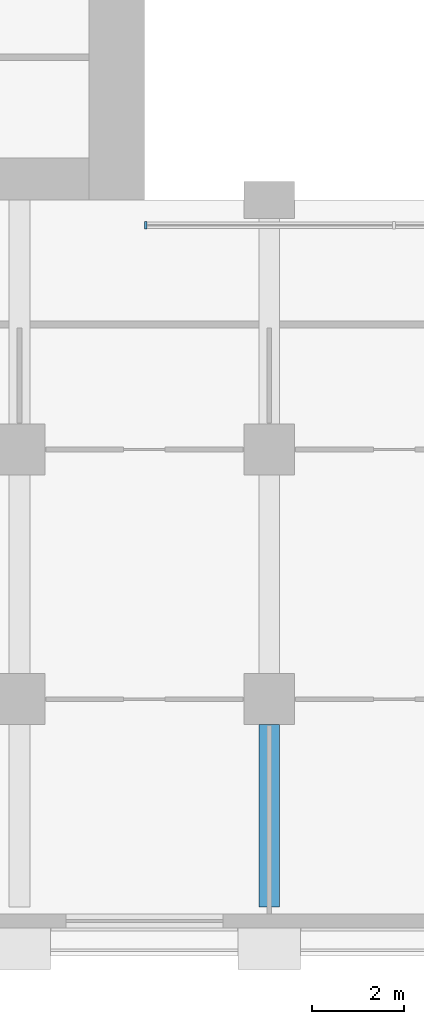
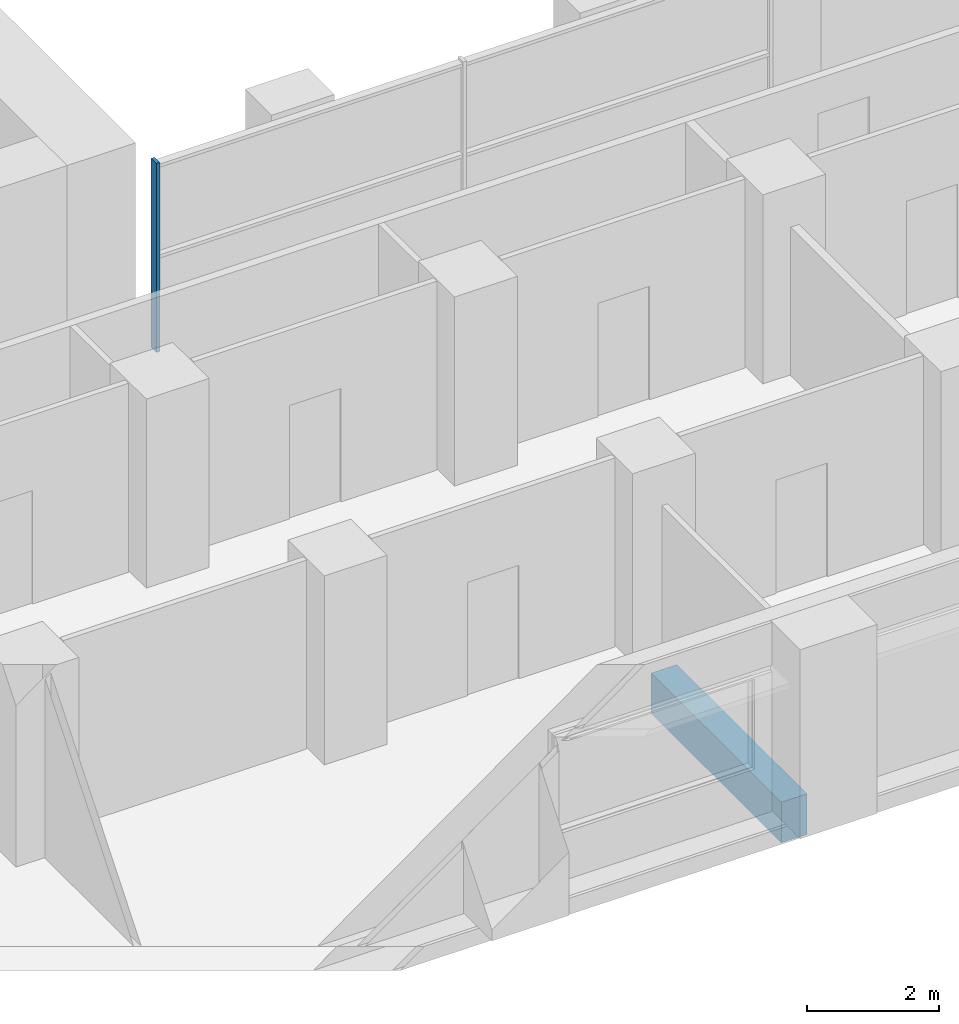
# One storey, part 2 of 13: 1 beam, 1 member, 1 element without a shape of its own.
"""IFC4 building model written with IfcOpenShell, lengths in metres."""

from ifc_helpers import new_model, si_unit, direction, frame, origin, origin_2d, place, context, subcontext, project, spatial, rectangle, extrude, material, material_profile, profile_set, type_object, element, aggregate, save


model = new_model("IFC4")

# Units and contexts
model_context = context("Model", 3, precision=1e-05, world=origin(), true_north=direction((0.0, 1.0)))
body_context = subcontext(model_context, "Body", "Model", "MODEL_VIEW")
ifc_project = project(units=[si_unit("LENGTHUNIT", "METRE"), si_unit("AREAUNIT", "SQUARE_METRE"), si_unit("VOLUMEUNIT", "CUBIC_METRE"), si_unit("PLANEANGLEUNIT", "RADIAN"), si_unit("MASSUNIT", "GRAM", prefix="KILO")], contexts=[model_context])

# Site, building, storey
site_placement = place(None, origin())
site = spatial("IfcSite", under=ifc_project, at=site_placement, CompositionType="ELEMENT")
building_placement = place(site_placement, origin())
building = spatial("IfcBuilding", under=site, at=building_placement, Name="Tabaq Tower and Sports Hall", CompositionType="ELEMENT")
storey_placement = place(building_placement, frame((0.0, 0.0, 45.0)))
storey = spatial("IfcBuildingStorey", under=building, at=storey_placement, Name="L09", CompositionType="ELEMENT", Elevation=45.0)

# Curtain wall, member
ifc_material_1 = material(Name="Aluminium alloy 6063-T6 framed glazing", Category="aluminium")
curtain_wall_type = type_object("IfcCurtainWallType", Name="CW1 curtain wall", PredefinedType="USERDEFINED", material=ifc_material_1)
curtain_wall_placement = place(storey_placement, origin())
curtain_wall = element("IfcCurtainWall", 1, at=curtain_wall_placement, inside=storey, type_object=curtain_wall_type, Name="Atrium glazing L09 S", ObjectType="ATRIUM ENCLOSURE", PredefinedType="USERDEFINED")
ifc_material_2 = material(Name="Aluminium alloy 6063-T6", Category="aluminium")
ifc_material_profile_1 = material_profile(ifc_material_2, rectangle(XDim=0.159912109375, YDim=0.06005859375, at=origin_2d()), Name="MULLION 160x60")
ifc_profile_set_1 = profile_set([ifc_material_profile_1], Name="Aluminium alloy 6063-T6")
member_type = type_object("IfcMemberType", Name="CW1 mullion 160x60", PredefinedType="MULLION", material=ifc_profile_set_1)
member_placement = place(storey_placement, frame((18.929931640625, 15.64990234375, 0.0), z_axis=(0.0, 0.0, 1.0), x_axis=(0.0, 1.0, 0.0)))
member = element("IfcMember", 2, at=member_placement, type_object=member_type, Name="CW1 mullion 1", PredefinedType="MULLION", context=body_context, shape_type="SweptSolid", body=[
    extrude(rectangle(XDim=0.159912109375, YDim=0.06005859375, at=origin_2d()), origin(), (0.0, 0.0, 1.0), 3.5),
])
aggregate(curtain_wall, [member])

# Beam
ifc_material_3 = material(Name="Concrete C40/50", Category="concrete")
ifc_material_profile_2 = material_profile(ifc_material_3, rectangle(XDim=0.449951171875, YDim=0.75, at=origin_2d()), Name="CB 450x750")
ifc_profile_set_2 = profile_set([ifc_material_profile_2], Name="Concrete C40/50")
beam_type = type_object("IfcBeamType", Name="PT CANTILEVER BEAM CB 450x750 C40/50", PredefinedType="BEAM", material=ifc_profile_set_2)
beam_placement = place(storey_placement, frame((21.60009765625, 0.89990234375, -0.675048828125), z_axis=(0.0, 1.0, 0.0), x_axis=(-1.0, 0.0, 0.0)))
element("IfcBeam", 3, at=beam_placement, inside=storey, type_object=beam_type, Name="Cantilever Beam L09 S4 span 1", PredefinedType="BEAM", context=body_context, shape_type="SweptSolid", body=[
    extrude(rectangle(XDim=0.449951171875, YDim=0.75, at=origin_2d()), origin(), (0.0, 0.0, 1.0), 3.9501953125),
])

save(model, "model.ifc")
